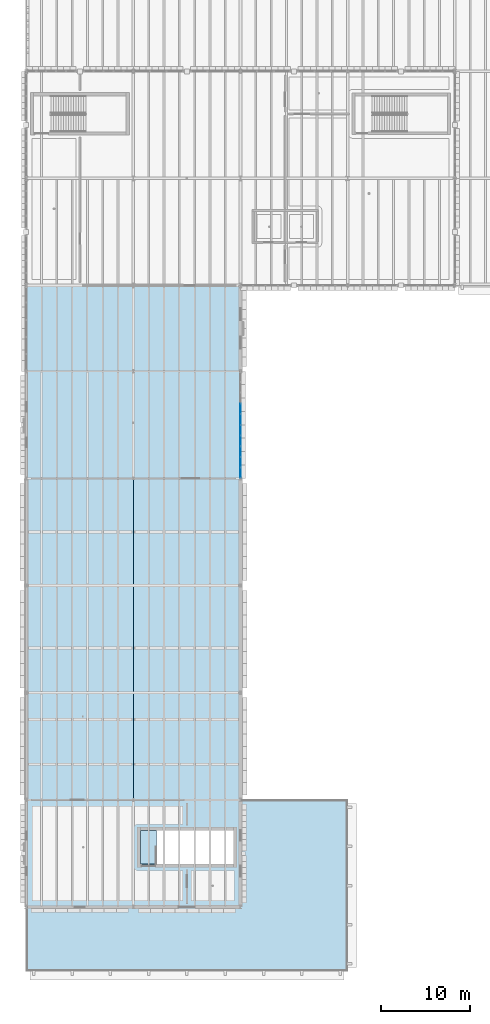
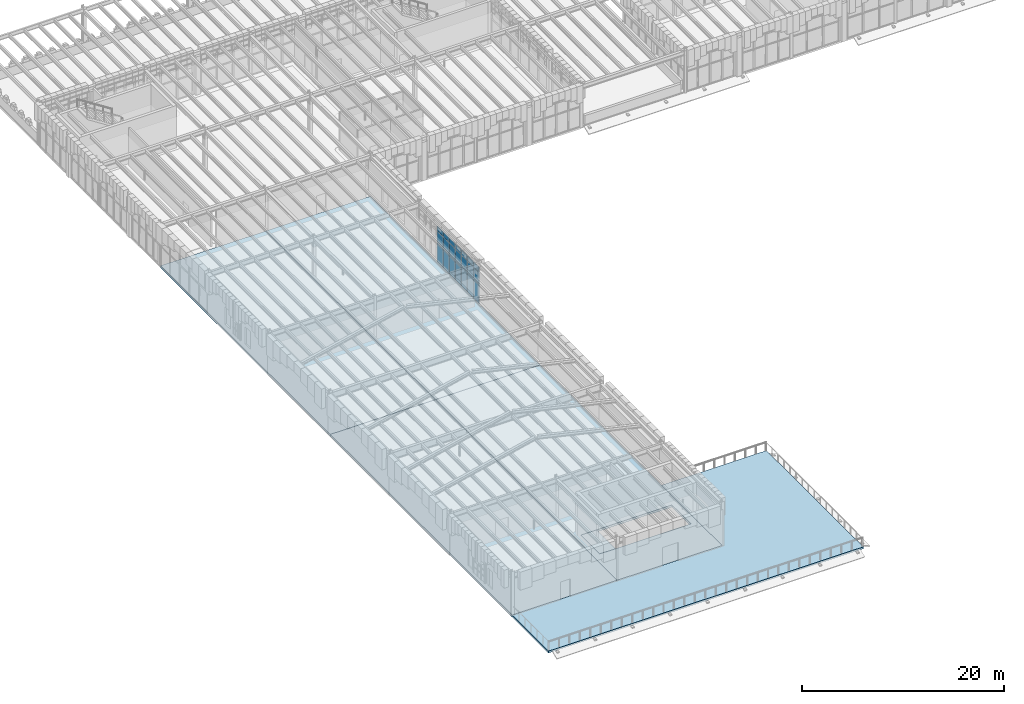
# One storey, part 44 of 100: 21 plates, 6 slabs, 1 element without a shape of its own.
"""IFC4 building model written with IfcOpenShell, lengths in metres."""

import ifcopenshell
import ifcopenshell.guid

model = None  # the IFC model being written
_history = None  # IfcOwnerHistory: only IFC2X3 demands one
_inside = {}  # id of a spatial element -> (the spatial element, [elements in it])
_under = {}  # id of a project, library or spatial element -> (it, [spatial elements below it])
_declared = {}  # id of a project -> (the project, [libraries it declares])
_typed = {}  # id of a type object -> (the type object, [elements of that type])
_made_of = {}  # id of a material, layer set ... -> (it, [elements and type objects made of it])


def new_model(schema):
    """Start an empty IFC model of exactly this schema.

    Asked for "IFC4X3", IfcOpenShell would pick the latest addendum, in which some entities
    have other attributes; the version numbers below select the first issue.
    IFC2X3 requires an IfcOwnerHistory on every rooted entity: one is made here for all.
    """
    global model, _history
    if schema == "IFC4X3":
        model = ifcopenshell.file(schema_version=(4, 3, 0, 0))
    else:
        model = ifcopenshell.file(schema=schema)
    _inside.clear()
    _under.clear()
    _declared.clear()
    _typed.clear()
    _made_of.clear()
    _history = None
    if model.schema == "IFC2X3":
        org = make("IfcOrganization", Name="unknown")
        user = make(
            "IfcPersonAndOrganization",
            ThePerson=make("IfcPerson", FamilyName="unknown"),
            TheOrganization=org,
        )
        app = make(
            "IfcApplication",
            ApplicationDeveloper=org,
            Version="unknown",
            ApplicationFullName="unknown",
            ApplicationIdentifier="unknown",
        )
        _history = make(
            "IfcOwnerHistory",
            OwningUser=user,
            OwningApplication=app,
            ChangeAction="ADDED",
            CreationDate=0,
        )
    return model


def make(cls, **values):
    """One entity of the class cls with the attributes given. An attribute that is None is left unset."""
    return model.create_entity(
        cls, **{name: value for name, value in values.items() if value is not None}
    )


def rooted(cls, **values):
    """An entity with a GlobalId (a new one), such as an element, a storey or a relation."""
    return make(cls, GlobalId=ifcopenshell.guid.new(), OwnerHistory=_history, **values)


def si_unit(unit_type, name, prefix=None):
    """IfcSIUnit, for example si_unit("LENGTHUNIT", "METRE", prefix="MILLI")."""
    return make("IfcSIUnit", UnitType=unit_type, Prefix=prefix, Name=name)


def assignment(units):
    """IfcUnitAssignment: the units of a project."""
    return None if units is None else make("IfcUnitAssignment", Units=units)


def point(xyz):
    """IfcCartesianPoint."""
    return None if xyz is None else make("IfcCartesianPoint", Coordinates=xyz)


def direction(xyz):
    """IfcDirection."""
    return None if xyz is None else make("IfcDirection", DirectionRatios=xyz)


def frame(location, z_axis=None, x_axis=None):
    """IfcAxis2Placement3D, a coordinate frame: its origin and axes. An axis left out is left unset."""
    return make(
        "IfcAxis2Placement3D",
        Location=point(location),
        Axis=direction(z_axis),
        RefDirection=direction(x_axis),
    )


def frame_2d(location, x_axis=None):
    """IfcAxis2Placement2D, a coordinate frame in the plane: its origin and x axis."""
    return make(
        "IfcAxis2Placement2D", Location=point(location), RefDirection=direction(x_axis)
    )


def origin():
    """The frame at (0, 0, 0) with its axes left unset."""
    return frame((0.0, 0.0, 0.0))


def origin_2d():
    """The frame at (0, 0) in the plane with its x axis left unset."""
    return frame_2d((0.0, 0.0))


def place(relative_to, where):
    """IfcLocalPlacement: puts the frame where relative to a parent placement (None: the world)."""
    return make(
        "IfcLocalPlacement", PlacementRelTo=relative_to, RelativePlacement=where
    )


def context(
    kind, dimensions, precision=None, world=None, true_north=None, identifier=None
):
    """IfcGeometricRepresentationContext, for example the 3D "Model" context."""
    return make(
        "IfcGeometricRepresentationContext",
        ContextIdentifier=identifier,
        ContextType=kind,
        CoordinateSpaceDimension=dimensions,
        Precision=precision,
        WorldCoordinateSystem=world,
        TrueNorth=true_north,
    )


def subcontext(parent, identifier, kind, view, scale=None):
    """IfcGeometricRepresentationSubContext, for example "Body" below "Model"."""
    return make(
        "IfcGeometricRepresentationSubContext",
        ContextIdentifier=identifier,
        ContextType=kind,
        ParentContext=parent,
        TargetScale=scale,
        TargetView=view,
    )


def project(units=None, contexts=None):
    """IfcProject with its units and contexts."""
    return rooted(
        "IfcProject",
        Name="project",
        RepresentationContexts=contexts,
        UnitsInContext=assignment(units),
    )


def spatial(cls, under=None, at=None, **own):
    """A site, building, storey or space (cls), placed at a placement, below another one or the project."""
    s = rooted(cls, ObjectPlacement=at, **own)
    if under is not None:
        _under.setdefault(under.id(), (under, []))[1].append(s)
    return s


def polyline(points):
    """IfcPolyline through the points."""
    return make("IfcPolyline", Points=[point(p) for p in points])


def profile(cls, at=None, kind="AREA", **sizes):
    """A parametric profile (cls). Its sizes go by their IFC names, for example OverallWidth=200.0."""
    return make(cls, ProfileType=kind, Position=at, **sizes)


def rectangle(**sizes):
    """IfcRectangleProfileDef."""
    return profile("IfcRectangleProfileDef", **sizes)


def outline(outer, holes=None, kind="AREA"):
    """IfcArbitraryClosedProfileDef: a profile drawn as a closed curve; with holes, ...WithVoids."""
    if holes is None:
        return make("IfcArbitraryClosedProfileDef", ProfileType=kind, OuterCurve=outer)
    return make(
        "IfcArbitraryProfileDefWithVoids",
        ProfileType=kind,
        OuterCurve=outer,
        InnerCurves=holes,
    )


def extrude(swept, where, along, depth):
    """IfcExtrudedAreaSolid: the profile swept, set in the frame where, extruded along a direction by depth."""
    return make(
        "IfcExtrudedAreaSolid",
        SweptArea=swept,
        Position=where,
        ExtrudedDirection=direction(along),
        Depth=depth,
    )


def shape(context_of_items, identifier, shape_type, items):
    """IfcShapeRepresentation: the items that make up one representation, for example the "Body"."""
    return make(
        "IfcShapeRepresentation",
        ContextOfItems=context_of_items,
        RepresentationIdentifier=identifier,
        RepresentationType=shape_type,
        Items=items,
    )


def material(Name=None, Category=None):
    """IfcMaterial."""
    return make("IfcMaterial", Name=Name, Category=Category)


def layer(
    of_material, thickness, ventilated=None, Name=None, Category=None, Priority=None
):
    """IfcMaterialLayer: one layer of a wall or slab, of a material (None: an air gap)."""
    return make(
        "IfcMaterialLayer",
        Material=of_material,
        LayerThickness=thickness,
        IsVentilated=ventilated,
        Name=Name,
        Category=Category,
        Priority=Priority,
    )


def layer_set(layers, Name=None):
    """IfcMaterialLayerSet."""
    return make("IfcMaterialLayerSet", MaterialLayers=layers, LayerSetName=Name)


def made_of(thing, what):
    """Note that an element or type object is made of a material, layer set ...; save() writes the relation."""
    if what is not None:
        _made_of.setdefault(what.id(), (what, []))[1].append(thing)
    return thing


def type_object(cls, material=None, **own):
    """A type object (cls), such as IfcWallType, which elements share."""
    return made_of(rooted(cls, **own), material)


def element(
    cls,
    number,
    at=None,
    inside=None,
    cuts=None,
    type_object=None,
    material=None,
    context=None,
    identifier="Body",
    shape_type=None,
    held_by="IfcProductDefinitionShape",
    body=None,
    shapes=None,
    **own,
):
    """One element of the class cls, such as IfcWall. Its Tag is "e" and its number.

    at: its placement. inside: the storey or other place that contains it. cuts: it is an
    opening in that element (IfcRelVoidsElement). A single representation is given by context,
    identifier, shape_type and body (its items); several are given by shapes. held_by: the class
    of the entity that holds the representations. save() writes the other relations.
    """
    e = rooted(cls, Tag="e%d" % number, ObjectPlacement=at, **own)
    if body is not None:
        shapes = [shape(context, identifier, shape_type, body)]
    if shapes is not None:
        e.Representation = make(held_by, Representations=shapes)
    if inside is not None:
        _inside.setdefault(inside.id(), (inside, []))[1].append(e)
    if cuts is not None:
        rooted(
            "IfcRelVoidsElement", RelatingBuildingElement=cuts, RelatedOpeningElement=e
        )
    if type_object is not None:
        _typed.setdefault(type_object.id(), (type_object, []))[1].append(e)
    return made_of(e, material)


def aggregate(whole, parts):
    """IfcRelAggregates: a whole, such as a stair, and the parts it consists of."""
    return rooted("IfcRelAggregates", RelatingObject=whole, RelatedObjects=parts)


def save(model, path):
    """Write the relations noted so far, then the file.

    IfcRelAggregates (storeys below a building ...), IfcRelContainedInSpatialStructure (elements
    in a storey), IfcRelDefinesByType, IfcRelAssociatesMaterial and IfcRelDeclares: one each for
    every whole, place, type object, material and project.
    """
    for whole, parts in _under.values():
        aggregate(whole, parts)
    for where, things in _inside.values():
        rooted(
            "IfcRelContainedInSpatialStructure",
            RelatedElements=things,
            RelatingStructure=where,
        )
    for kind, things in _typed.values():
        rooted("IfcRelDefinesByType", RelatedObjects=things, RelatingType=kind)
    for what, things in _made_of.values():
        rooted("IfcRelAssociatesMaterial", RelatedObjects=things, RelatingMaterial=what)
    for by, libraries in _declared.values():
        rooted("IfcRelDeclares", RelatingContext=by, RelatedDefinitions=libraries)
    model.write(path)


model = new_model("IFC4")

# Units and contexts
model_context = context("Model", 3, precision=1e-05, world=origin(), true_north=direction((0.0, 1.0)))
body_context = subcontext(model_context, "Body", "Model", "MODEL_VIEW")
ifc_project = project(units=[si_unit("LENGTHUNIT", "METRE"), si_unit("AREAUNIT", "SQUARE_METRE"), si_unit("VOLUMEUNIT", "CUBIC_METRE"), si_unit("PLANEANGLEUNIT", "RADIAN"), si_unit("MASSUNIT", "GRAM", prefix="KILO")], contexts=[model_context])

# Site, building, storey
site_placement = place(None, origin())
site = spatial("IfcSite", under=ifc_project, at=site_placement, CompositionType="ELEMENT")
building_placement = place(site_placement, origin())
building = spatial("IfcBuilding", under=site, at=building_placement, Name="Zlatogorsky Bluff Art Gallery", CompositionType="ELEMENT")
storey_placement = place(building_placement, frame((0.0, 0.0, 5.39990234375)))
storey = spatial("IfcBuildingStorey", under=building, at=storey_placement, Name="L01", CompositionType="ELEMENT", Elevation=5.39990234375)

# Curtain wall, plates
ifc_material_1 = material(Name="Anodised Bronze Aluminium and Low-Iron Triple Glazing", Category="aluminium")
ifc_layer_1 = layer(ifc_material_1, 0.179931640625)
ifc_layer_set_1 = layer_set([ifc_layer_1], Name="Curtain Wall CW-03")
curtain_wall_type = type_object("IfcCurtainWallType", Name="Curtain Wall CW-03", PredefinedType="USERDEFINED", material=ifc_layer_set_1)
curtain_wall_placement = place(storey_placement, origin())
curtain_wall = element("IfcCurtainWall", 1, at=curtain_wall_placement, inside=storey, type_object=curtain_wall_type, Name="Unitised curtain wall CW-03 L01 E 1.6", ObjectType="CURTAIN WALL", PredefinedType="USERDEFINED")
ifc_material_2 = material(Name="Low-Iron Laminated Triple Glazing", Category="glass")
ifc_layer_2 = layer(ifc_material_2, 0.035888671875)
ifc_layer_set_2 = layer_set([ifc_layer_2], Name="Glazed Curtain Panel CWP-01")
plate_type = type_object("IfcPlateType", Name="Glazed Curtain Panel CWP-01", PredefinedType="CURTAIN_PANEL", material=ifc_layer_set_2)
plate_1_placement = place(storey_placement, frame((24.0, 63.016357421875, 0.065185546875), z_axis=(0.0, 0.0, 1.0), x_axis=(0.0, 1.0, 0.0)))
plate_1 = element("IfcPlate", 2, at=plate_1_placement, type_object=plate_type, Name="CW-03 panel 1.1", PredefinedType="CURTAIN_PANEL", context=body_context, shape_type="SweptSolid", body=[
    extrude(rectangle(XDim=1.1025390625, YDim=0.035888671875, at=origin_2d()), origin(), (0.0, 0.0, 1.0), 2.3525390625),
])
plate_2_placement = place(storey_placement, frame((24.0, 63.016357421875, 2.482666015625), z_axis=(0.0, 0.0, 1.0), x_axis=(0.0, 1.0, 0.0)))
plate_2 = element("IfcPlate", 3, at=plate_2_placement, type_object=plate_type, Name="CW-03 panel 1.2", PredefinedType="CURTAIN_PANEL", context=body_context, shape_type="SweptSolid", body=[
    extrude(rectangle(XDim=1.1025390625, YDim=0.035888671875, at=origin_2d()), origin(), (0.0, 0.0, 1.0), 1.3349609375),
])
plate_3_placement = place(storey_placement, frame((24.0, 63.016357421875, 3.882568359375), z_axis=(0.0, 0.0, 1.0), x_axis=(0.0, 1.0, 0.0)))
plate_3 = element("IfcPlate", 4, at=plate_3_placement, type_object=plate_type, Name="CW-03 panel 1.3", PredefinedType="CURTAIN_PANEL", context=body_context, shape_type="SweptSolid", body=[
    extrude(rectangle(XDim=1.1025390625, YDim=0.035888671875, at=origin_2d()), origin(), (0.0, 0.0, 1.0), 0.58251953125),
])
plate_4_placement = place(storey_placement, frame((24.0, 64.199951171875, 0.065185546875), z_axis=(0.0, 0.0, 1.0), x_axis=(0.0, 1.0, 0.0)))
plate_4 = element("IfcPlate", 5, at=plate_4_placement, type_object=plate_type, Name="CW-03 panel 2.1", PredefinedType="CURTAIN_PANEL", context=body_context, shape_type="SweptSolid", body=[
    extrude(rectangle(XDim=1.135009765625, YDim=0.035888671875, at=origin_2d()), origin(), (0.0, 0.0, 1.0), 2.3525390625),
])
plate_5_placement = place(storey_placement, frame((24.0, 64.199951171875, 2.482666015625), z_axis=(0.0, 0.0, 1.0), x_axis=(0.0, 1.0, 0.0)))
plate_5 = element("IfcPlate", 6, at=plate_5_placement, type_object=plate_type, Name="CW-03 panel 2.2", PredefinedType="CURTAIN_PANEL", context=body_context, shape_type="SweptSolid", body=[
    extrude(rectangle(XDim=1.135009765625, YDim=0.035888671875, at=origin_2d()), origin(), (0.0, 0.0, 1.0), 1.3349609375),
])
plate_6_placement = place(storey_placement, frame((24.0, 64.199951171875, 3.882568359375), z_axis=(0.0, 0.0, 1.0), x_axis=(0.0, 1.0, 0.0)))
plate_6 = element("IfcPlate", 7, at=plate_6_placement, type_object=plate_type, Name="CW-03 panel 2.3", PredefinedType="CURTAIN_PANEL", context=body_context, shape_type="SweptSolid", body=[
    extrude(rectangle(XDim=1.135009765625, YDim=0.035888671875, at=origin_2d()), origin(), (0.0, 0.0, 1.0), 0.58251953125),
])
plate_7_placement = place(storey_placement, frame((24.0, 65.39990234375, 0.065185546875), z_axis=(0.0, 0.0, 1.0), x_axis=(0.0, 1.0, 0.0)))
plate_7 = element("IfcPlate", 8, at=plate_7_placement, type_object=plate_type, Name="CW-03 panel 3.1", PredefinedType="CURTAIN_PANEL", context=body_context, shape_type="SweptSolid", body=[
    extrude(rectangle(XDim=1.135009765625, YDim=0.035888671875, at=origin_2d()), origin(), (0.0, 0.0, 1.0), 2.3525390625),
])
plate_8_placement = place(storey_placement, frame((24.0, 65.39990234375, 2.482666015625), z_axis=(0.0, 0.0, 1.0), x_axis=(0.0, 1.0, 0.0)))
plate_8 = element("IfcPlate", 9, at=plate_8_placement, type_object=plate_type, Name="CW-03 panel 3.2", PredefinedType="CURTAIN_PANEL", context=body_context, shape_type="SweptSolid", body=[
    extrude(rectangle(XDim=1.135009765625, YDim=0.035888671875, at=origin_2d()), origin(), (0.0, 0.0, 1.0), 1.3349609375),
])
plate_9_placement = place(storey_placement, frame((24.0, 65.39990234375, 3.882568359375), z_axis=(0.0, 0.0, 1.0), x_axis=(0.0, 1.0, 0.0)))
plate_9 = element("IfcPlate", 10, at=plate_9_placement, type_object=plate_type, Name="CW-03 panel 3.3", PredefinedType="CURTAIN_PANEL", context=body_context, shape_type="SweptSolid", body=[
    extrude(rectangle(XDim=1.135009765625, YDim=0.035888671875, at=origin_2d()), origin(), (0.0, 0.0, 1.0), 0.58251953125),
])
plate_10_placement = place(storey_placement, frame((24.0, 66.60009765625, 0.065185546875), z_axis=(0.0, 0.0, 1.0), x_axis=(0.0, 1.0, 0.0)))
plate_10 = element("IfcPlate", 11, at=plate_10_placement, type_object=plate_type, Name="CW-03 panel 4.1", PredefinedType="CURTAIN_PANEL", context=body_context, shape_type="SweptSolid", body=[
    extrude(rectangle(XDim=1.135009765625, YDim=0.035888671875, at=origin_2d()), origin(), (0.0, 0.0, 1.0), 2.3525390625),
])
plate_11_placement = place(storey_placement, frame((24.0, 66.60009765625, 2.482666015625), z_axis=(0.0, 0.0, 1.0), x_axis=(0.0, 1.0, 0.0)))
plate_11 = element("IfcPlate", 12, at=plate_11_placement, type_object=plate_type, Name="CW-03 panel 4.2", PredefinedType="CURTAIN_PANEL", context=body_context, shape_type="SweptSolid", body=[
    extrude(rectangle(XDim=1.135009765625, YDim=0.035888671875, at=origin_2d()), origin(), (0.0, 0.0, 1.0), 1.3349609375),
])
plate_12_placement = place(storey_placement, frame((24.0, 66.60009765625, 3.882568359375), z_axis=(0.0, 0.0, 1.0), x_axis=(0.0, 1.0, 0.0)))
plate_12 = element("IfcPlate", 13, at=plate_12_placement, type_object=plate_type, Name="CW-03 panel 4.3", PredefinedType="CURTAIN_PANEL", context=body_context, shape_type="SweptSolid", body=[
    extrude(rectangle(XDim=1.135009765625, YDim=0.035888671875, at=origin_2d()), origin(), (0.0, 0.0, 1.0), 0.58251953125),
])
plate_13_placement = place(storey_placement, frame((24.0, 67.800048828125, 0.065185546875), z_axis=(0.0, 0.0, 1.0), x_axis=(0.0, 1.0, 0.0)))
plate_13 = element("IfcPlate", 14, at=plate_13_placement, type_object=plate_type, Name="CW-03 panel 5.1", PredefinedType="CURTAIN_PANEL", context=body_context, shape_type="SweptSolid", body=[
    extrude(rectangle(XDim=1.135009765625, YDim=0.035888671875, at=origin_2d()), origin(), (0.0, 0.0, 1.0), 2.3525390625),
])
plate_14_placement = place(storey_placement, frame((24.0, 67.800048828125, 2.482666015625), z_axis=(0.0, 0.0, 1.0), x_axis=(0.0, 1.0, 0.0)))
plate_14 = element("IfcPlate", 15, at=plate_14_placement, type_object=plate_type, Name="CW-03 panel 5.2", PredefinedType="CURTAIN_PANEL", context=body_context, shape_type="SweptSolid", body=[
    extrude(rectangle(XDim=1.135009765625, YDim=0.035888671875, at=origin_2d()), origin(), (0.0, 0.0, 1.0), 1.3349609375),
])
plate_15_placement = place(storey_placement, frame((24.0, 67.800048828125, 3.882568359375), z_axis=(0.0, 0.0, 1.0), x_axis=(0.0, 1.0, 0.0)))
plate_15 = element("IfcPlate", 16, at=plate_15_placement, type_object=plate_type, Name="CW-03 panel 5.3", PredefinedType="CURTAIN_PANEL", context=body_context, shape_type="SweptSolid", body=[
    extrude(rectangle(XDim=1.135009765625, YDim=0.035888671875, at=origin_2d()), origin(), (0.0, 0.0, 1.0), 0.58251953125),
])
plate_16_placement = place(storey_placement, frame((24.0, 69.0, 0.065185546875), z_axis=(0.0, 0.0, 1.0), x_axis=(0.0, 1.0, 0.0)))
plate_16 = element("IfcPlate", 17, at=plate_16_placement, type_object=plate_type, Name="CW-03 panel 6.1", PredefinedType="CURTAIN_PANEL", context=body_context, shape_type="SweptSolid", body=[
    extrude(rectangle(XDim=1.135009765625, YDim=0.035888671875, at=origin_2d()), origin(), (0.0, 0.0, 1.0), 2.3525390625),
])
plate_17_placement = place(storey_placement, frame((24.0, 69.0, 2.482666015625), z_axis=(0.0, 0.0, 1.0), x_axis=(0.0, 1.0, 0.0)))
plate_17 = element("IfcPlate", 18, at=plate_17_placement, type_object=plate_type, Name="CW-03 panel 6.2", PredefinedType="CURTAIN_PANEL", context=body_context, shape_type="SweptSolid", body=[
    extrude(rectangle(XDim=1.135009765625, YDim=0.035888671875, at=origin_2d()), origin(), (0.0, 0.0, 1.0), 1.3349609375),
])
plate_18_placement = place(storey_placement, frame((24.0, 69.0, 3.882568359375), z_axis=(0.0, 0.0, 1.0), x_axis=(0.0, 1.0, 0.0)))
plate_18 = element("IfcPlate", 19, at=plate_18_placement, type_object=plate_type, Name="CW-03 panel 6.3", PredefinedType="CURTAIN_PANEL", context=body_context, shape_type="SweptSolid", body=[
    extrude(rectangle(XDim=1.135009765625, YDim=0.035888671875, at=origin_2d()), origin(), (0.0, 0.0, 1.0), 0.58251953125),
])
plate_19_placement = place(storey_placement, frame((24.0, 70.199951171875, 0.065185546875), z_axis=(0.0, 0.0, 1.0), x_axis=(0.0, 1.0, 0.0)))
plate_19 = element("IfcPlate", 20, at=plate_19_placement, type_object=plate_type, Name="CW-03 panel 7.1", PredefinedType="CURTAIN_PANEL", context=body_context, shape_type="SweptSolid", body=[
    extrude(rectangle(XDim=1.135009765625, YDim=0.035888671875, at=origin_2d()), origin(), (0.0, 0.0, 1.0), 2.3525390625),
])
plate_20_placement = place(storey_placement, frame((24.0, 70.199951171875, 2.482666015625), z_axis=(0.0, 0.0, 1.0), x_axis=(0.0, 1.0, 0.0)))
plate_20 = element("IfcPlate", 21, at=plate_20_placement, type_object=plate_type, Name="CW-03 panel 7.2", PredefinedType="CURTAIN_PANEL", context=body_context, shape_type="SweptSolid", body=[
    extrude(rectangle(XDim=1.135009765625, YDim=0.035888671875, at=origin_2d()), origin(), (0.0, 0.0, 1.0), 1.3349609375),
])
plate_21_placement = place(storey_placement, frame((24.0, 70.199951171875, 3.882568359375), z_axis=(0.0, 0.0, 1.0), x_axis=(0.0, 1.0, 0.0)))
plate_21 = element("IfcPlate", 22, at=plate_21_placement, type_object=plate_type, Name="CW-03 panel 7.3", PredefinedType="CURTAIN_PANEL", context=body_context, shape_type="SweptSolid", body=[
    extrude(rectangle(XDim=1.135009765625, YDim=0.035888671875, at=origin_2d()), origin(), (0.0, 0.0, 1.0), 0.58251953125),
])
aggregate(curtain_wall, [plate_1, plate_2, plate_3, plate_4, plate_5, plate_6, plate_7, plate_8, plate_9, plate_10, plate_11, plate_12, plate_13, plate_14, plate_15, plate_16, plate_17, plate_18, plate_19, plate_20, plate_21])

# Slabs
ifc_material_3 = material(Name="Concrete C30/37", Category="concrete")
ifc_layer_3 = layer(ifc_material_3, 0.260009765625)
ifc_layer_set_3 = layer_set([ifc_layer_3], Name="Slab SL-01 260mm")
slab_type_1 = type_object("IfcSlabType", Name="Slab SL-01 260mm", PredefinedType="FLOOR", material=ifc_layer_set_3)
slab_1_placement = place(storey_placement, frame((0.0, 0.0, -0.260009765625)))
element("IfcSlab", 23, at=slab_1_placement, inside=storey, type_object=slab_type_1, Name="L01 structural floor slab panel 01", PredefinedType="FLOOR", context=body_context, shape_type="SweptSolid", body=[
    extrude(outline(polyline([(0.0, 14.39990234375), (0.0, 26.39990234375), (0.0, 38.39990234375), (0.0, 50.39990234375), (12.0, 50.39990234375), (12.0, 38.39990234375), (12.0, 26.39990234375), (12.0, 14.39990234375), (0.0, 14.39990234375)])), origin(), (0.0, 0.0, 1.0), 0.260009765625),
])
slab_2_placement = place(storey_placement, frame((0.0, 0.0, -0.260009765625)))
element("IfcSlab", 24, at=slab_2_placement, inside=storey, type_object=slab_type_1, Name="L01 structural floor slab panel 02", PredefinedType="FLOOR", context=body_context, shape_type="SweptSolid", body=[
    extrude(outline(polyline([(0.0, 50.39990234375), (0.0, 62.39990234375), (0.0, 74.39990234375), (0.0, 84.0), (12.0, 84.0), (12.0, 74.39990234375), (12.0, 62.39990234375), (12.0, 50.39990234375), (0.0, 50.39990234375)])), origin(), (0.0, 0.0, 1.0), 0.260009765625),
])
slab_3_placement = place(storey_placement, frame((0.0, 0.0, -0.260009765625)))
element("IfcSlab", 25, at=slab_3_placement, inside=storey, type_object=slab_type_1, Name="L01 structural floor slab panel 04", PredefinedType="FLOOR", context=body_context, shape_type="SweptSolid", body=[
    extrude(outline(polyline([(12.0, 14.39990234375), (12.0, 26.39990234375), (12.0, 38.39990234375), (12.0, 50.39990234375), (24.0, 50.39990234375), (24.0, 38.39990234375), (24.0, 26.39990234375), (24.0, 14.39990234375), (12.0, 14.39990234375)]), holes=[polyline([(23.199951171875, 22.949951171875), (12.800048828125, 22.949951171875), (12.800048828125, 19.199951171875), (23.199951171875, 19.199951171875), (23.199951171875, 22.949951171875)])]), origin(), (0.0, 0.0, 1.0), 0.260009765625),
])
slab_4_placement = place(storey_placement, frame((0.0, 0.0, -0.260009765625)))
element("IfcSlab", 26, at=slab_4_placement, inside=storey, type_object=slab_type_1, Name="L01 structural floor slab panel 05", PredefinedType="FLOOR", context=body_context, shape_type="SweptSolid", body=[
    extrude(outline(polyline([(12.0, 50.39990234375), (12.0, 62.39990234375), (12.0, 74.39990234375), (12.0, 84.0), (24.0, 84.0), (24.0, 74.39990234375), (24.0, 62.39990234375), (24.0, 50.39990234375), (12.0, 50.39990234375)])), origin(), (0.0, 0.0, 1.0), 0.260009765625),
])
slab_5_placement = place(storey_placement, frame((0.0, 0.0, -0.260009765625)))
element("IfcSlab", 27, at=slab_5_placement, inside=storey, type_object=slab_type_1, Name="L01 stair ST-09 structural floor landing slab", PredefinedType="FLOOR", context=body_context, shape_type="SweptSolid", body=[
    extrude(outline(polyline([(12.800048828125, 19.199951171875), (14.60009765625, 19.199951171875), (14.60009765625, 22.949951171875), (12.800048828125, 22.949951171875), (12.800048828125, 19.199951171875)])), origin(), (0.0, 0.0, 1.0), 0.260009765625),
])
ifc_material_4 = material(Name="Concrete C35/45", Category="concrete")
ifc_layer_4 = layer(ifc_material_4, 0.22998046875)
ifc_layer_set_4 = layer_set([ifc_layer_4], Name="Slab SL-TR2 230mm")
slab_type_2 = type_object("IfcSlabType", Name="Slab SL-TR2 230mm", PredefinedType="FLOOR", material=ifc_layer_set_4)
slab_6_placement = place(storey_placement, frame((0.0, 0.0, -0.22998046875)))
element("IfcSlab", 28, at=slab_6_placement, inside=storey, type_object=slab_type_2, Name="L01 outdoor sculpture terrace slab 1", PredefinedType="FLOOR", context=body_context, shape_type="SweptSolid", body=[
    extrude(outline(polyline([(12.0, 14.39990234375), (24.0, 14.39990234375), (24.0, 26.39990234375), (36.0, 26.39990234375), (36.0, 14.39990234375), (36.0, 7.199951171875), (24.0, 7.199951171875), (12.0, 7.199951171875), (0.0, 7.199951171875), (0.0, 14.39990234375), (12.0, 14.39990234375)])), origin(), (0.0, 0.0, 1.0), 0.22998046875),
])

save(model, "model.ifc")
